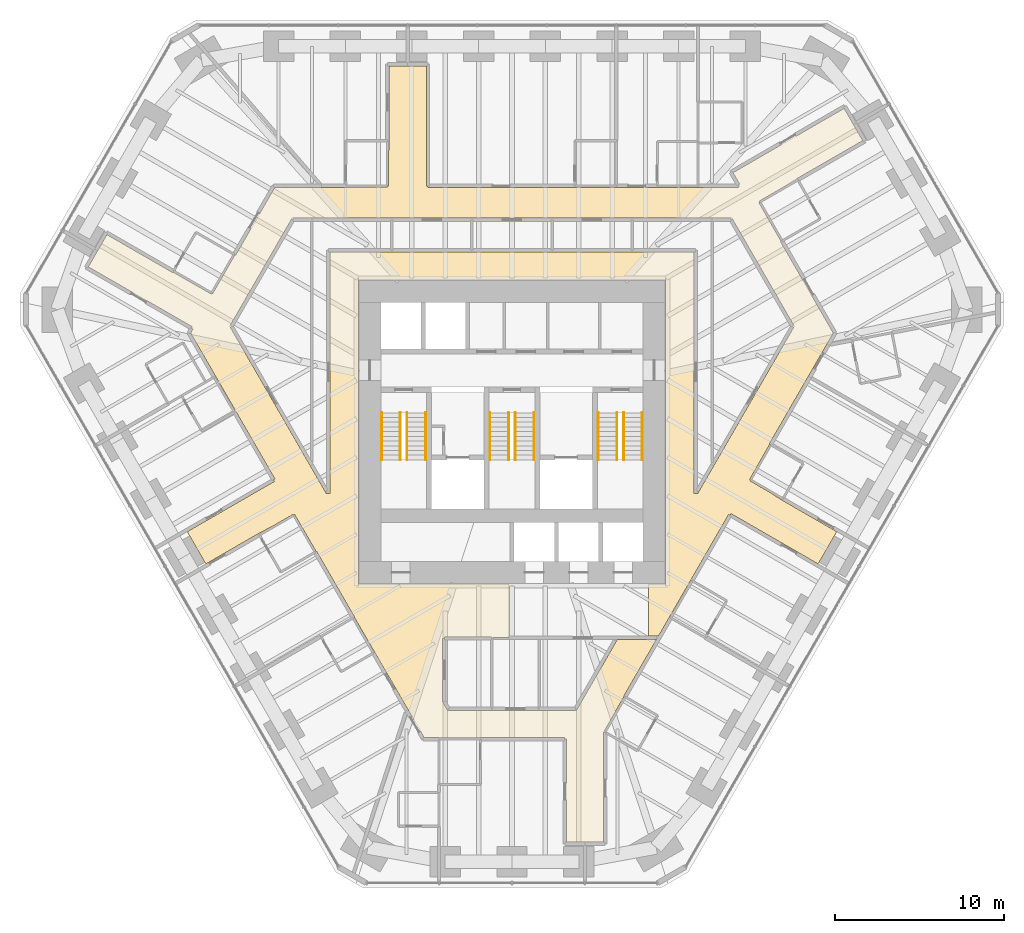
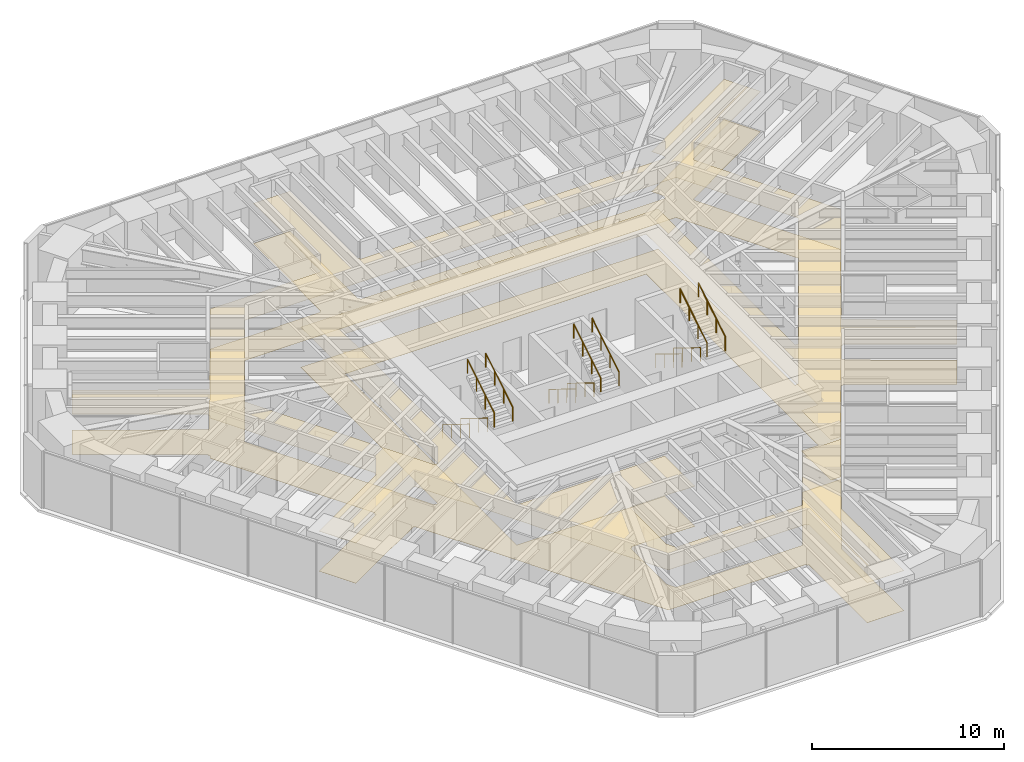
# One storey, part 16 of 16: 12 railings, 2 coverings.
"""IFC4 building model written with IfcOpenShell, lengths in metres."""

from ifc_helpers import new_model, si_unit, direction, frame, origin, origin_2d, place, context, subcontext, project, spatial, polyline, circle, outline, extrude, material, layer, layer_set, type_object, element, save


model = new_model("IFC4")

# Units and contexts
model_context = context("Model", 3, precision=1e-05, world=origin(), true_north=direction((0.0, 1.0)))
body_context = subcontext(model_context, "Body", "Model", "MODEL_VIEW")
ifc_project = project(units=[si_unit("LENGTHUNIT", "METRE"), si_unit("AREAUNIT", "SQUARE_METRE"), si_unit("VOLUMEUNIT", "CUBIC_METRE"), si_unit("PLANEANGLEUNIT", "RADIAN"), si_unit("MASSUNIT", "GRAM", prefix="KILO")], contexts=[model_context])

# Site, building, storey
site_placement = place(None, origin())
site = spatial("IfcSite", under=ifc_project, at=site_placement, CompositionType="ELEMENT")
building_placement = place(site_placement, origin())
building = spatial("IfcBuilding", under=site, at=building_placement, Name="Sandreach Pilgrim Tower", CompositionType="ELEMENT")
storey_placement = place(building_placement, frame((0.0, 0.0, 115.800048828125)))
storey = spatial("IfcBuildingStorey", under=building, at=storey_placement, Name="L28", CompositionType="ELEMENT", Elevation=115.800048828125)

# Coverings
ifc_material_1 = material(Name="Nylon carpet tile on the slab", Category="textile")
ifc_layer_1 = layer(ifc_material_1, 0.008056640625)
ifc_layer_set_1 = layer_set([ifc_layer_1], Name="Carpet tile")
covering_type_1 = type_object("IfcCoveringType", Name="Carpet tile", PredefinedType="FLOORING", material=ifc_layer_set_1)
covering_1_placement = place(storey_placement, origin())
element("IfcCovering", 1, at=covering_1_placement, inside=storey, type_object=covering_type_1, Name="Floor finish 28C Corridor 28", PredefinedType="FLOORING", context=body_context, shape_type="SweptSolid", body=[
    extrude(outline(polyline([(-25.033447265625, 8.206787109375), (-23.933349609375, 10.113525390625), (-20.04150390625, 7.870849609375), (-20.02880859375, 7.892578125), (-17.751708984375, 6.597412109375), (-17.72119140625, 6.649169921875), (-17.68798828125, 6.6298828125), (-16.37353515625, 8.923095703125), (-16.330322265625, 8.898193359375), (-14.022216796875, 12.889892578125), (-9.81005859375, 12.889892578125), (-9.81005859375, 12.915283203125), (-7.360107421875, 12.929931640625), (-7.35791015625, 12.989990234375), (-7.300048828125, 12.989990234375), (-7.300048828125, 14.568115234375), (-7.260009765625, 15.659912109375), (-7.260009765625, 20.080078125), (-5.06005859375, 20.080078125), (-5.06005859375, 13.0), (-4.96044921875, 13.0), (-4.9599609375, 12.889892578125), (13.389892578125, 12.889892578125), (13.439453125, 13.104736328125), (13.056396484375, 13.7734375), (19.62353515625, 17.5732421875), (20.723388671875, 15.666748046875), (16.840087890625, 13.426513671875), (15.937744140625, 12.859130859375), (14.60986328125, 12.092041015625), (14.638671875, 12.0419921875), (14.587890625, 12.01025390625), (15.901611328125, 9.706298828125), (15.873291015625, 9.68994140625), (18.984619140625, 4.2998046875), (15.203369140625, -2.25), (15.230224609375, -2.265380859375), (14.0380859375, -4.35009765625), (14.088623046875, -4.38232421875), (14.06005859375, -4.431884765625), (15.19091796875, -5.085693359375), (15.9599609375, -5.57666015625), (19.18603515625, -7.436279296875), (18.085693359375, -9.342041015625), (12.93994140625, -6.373291015625), (12.882568359375, -6.472900390625), (12.7958984375, -6.423095703125), (8.65576171875, -13.60009765625), (8.050048828125, -13.60009765625), (8.050048828125, -10.52001953125), (9.070068359375, -10.52001953125), (9.070068359375, 7.419921875), (-9.070068359375, 7.419921875), (-9.070068359375, -10.52001953125), (-0.175048828125, -10.52001953125), (-0.175048828125, -13.68994140625), (-1.199951171875, -13.67919921875), (-1.199951171875, -13.64990234375), (-3.989990234375, -13.64990234375), (-3.989990234375, -13.75), (-4.10009765625, -13.75), (-4.10009765625, -17.487060546875), (-3.8076171875, -17.989990234375), (3.8076171875, -17.989990234375), (6.2265625, -13.800048828125), (8.540283203125, -13.800048828125), (6.603515625, -17.14990234375), (6.62353515625, -17.16162109375), (5.409912109375, -19.2900390625), (5.409912109375, -25.780029296875), (3.2099609375, -25.780029296875), (3.2099609375, -19.68994140625), (3.10009765625, -19.68994140625), (3.10009765625, -19.590087890625), (-5.1923828125, -19.590087890625), (-9.318115234375, -12.488525390625), (-9.303466796875, -12.47998046875), (-11.54345703125, -8.60009765625), (-11.56884765625, -8.61474609375), (-12.837890625, -6.43017578125), (-12.891357421875, -6.4580078125), (-12.919921875, -6.407958984375), (-14.11767578125, -7.09814453125), (-14.969970703125, -7.54345703125), (-18.0859375, -9.341796875), (-19.1865234375, -7.435791015625), (-14.0400390625, -4.466552734375), (-14.097412109375, -4.366943359375), (-14.010986328125, -4.31689453125), (-18.98486328125, 4.300048828125), (-18.858154296875, 4.521728515625), (-18.945068359375, 4.5712890625), (-18.89013671875, 4.666748046875), (-25.033447265625, 8.206787109375)]), holes=[polyline([(-16.675537109375, 4.699951171875), (-10.965576171875, -5.18994140625), (-10.85009765625, -5.19482421875), (-10.75, -5.18994140625), (-10.75, 9.10009765625), (10.75, 9.10009765625), (10.75, -5.18994140625), (10.965576171875, -5.18994140625), (16.675537109375, 4.699951171875), (12.98779296875, 11.090087890625), (-12.98779296875, 11.090087890625), (-16.675537109375, 4.699951171875)])]), origin(), (0.0, 0.0, 1.0), 0.008056640625),
])
ifc_material_2 = material(Name="Gypsum board suspended ceiling on a steel grid", Category="steel")
ifc_layer_2 = layer(ifc_material_2, 0.012939453125)
ifc_layer_set_2 = layer_set([ifc_layer_2], Name="Gypsum board suspended ceiling")
covering_type_2 = type_object("IfcCoveringType", Name="Gypsum board suspended ceiling", PredefinedType="CEILING", material=ifc_layer_set_2)
covering_2_placement = place(storey_placement, frame((0.0, 0.0, 2.550048828125)))
element("IfcCovering", 2, at=covering_2_placement, inside=storey, type_object=covering_type_2, Name="Ceiling 28C Corridor 28", PredefinedType="CEILING", context=body_context, shape_type="SweptSolid", body=[
    extrude(outline(polyline([(-25.033447265625, 8.206787109375), (-23.933349609375, 10.113525390625), (-20.04150390625, 7.870849609375), (-20.02880859375, 7.892578125), (-17.751708984375, 6.597412109375), (-17.72119140625, 6.649169921875), (-17.68798828125, 6.6298828125), (-16.37353515625, 8.923095703125), (-16.330322265625, 8.898193359375), (-14.022216796875, 12.889892578125), (-9.81005859375, 12.889892578125), (-9.81005859375, 12.915283203125), (-7.360107421875, 12.929931640625), (-7.35791015625, 12.989990234375), (-7.300048828125, 12.989990234375), (-7.300048828125, 14.568115234375), (-7.260009765625, 15.659912109375), (-7.260009765625, 20.080078125), (-5.06005859375, 20.080078125), (-5.06005859375, 13.0), (-4.96044921875, 13.0), (-4.9599609375, 12.889892578125), (13.389892578125, 12.889892578125), (13.439453125, 13.104736328125), (13.056396484375, 13.7734375), (19.62353515625, 17.5732421875), (20.723388671875, 15.666748046875), (16.840087890625, 13.426513671875), (15.937744140625, 12.859130859375), (14.60986328125, 12.092041015625), (14.638671875, 12.0419921875), (14.587890625, 12.01025390625), (15.901611328125, 9.706298828125), (15.873291015625, 9.68994140625), (18.984619140625, 4.2998046875), (15.203369140625, -2.25), (15.230224609375, -2.265380859375), (14.0380859375, -4.35009765625), (14.088623046875, -4.38232421875), (14.06005859375, -4.431884765625), (15.19091796875, -5.085693359375), (15.9599609375, -5.57666015625), (19.18603515625, -7.436279296875), (18.085693359375, -9.342041015625), (12.93994140625, -6.373291015625), (12.882568359375, -6.472900390625), (12.7958984375, -6.423095703125), (8.65576171875, -13.60009765625), (8.050048828125, -13.60009765625), (8.050048828125, -10.52001953125), (9.070068359375, -10.52001953125), (9.070068359375, 7.419921875), (-9.070068359375, 7.419921875), (-9.070068359375, -10.52001953125), (-0.175048828125, -10.52001953125), (-0.175048828125, -13.68994140625), (-1.199951171875, -13.67919921875), (-1.199951171875, -13.64990234375), (-3.989990234375, -13.64990234375), (-3.989990234375, -13.75), (-4.10009765625, -13.75), (-4.10009765625, -17.487060546875), (-3.8076171875, -17.989990234375), (3.8076171875, -17.989990234375), (6.2265625, -13.800048828125), (8.540283203125, -13.800048828125), (6.603515625, -17.14990234375), (6.62353515625, -17.16162109375), (5.409912109375, -19.2900390625), (5.409912109375, -25.780029296875), (3.2099609375, -25.780029296875), (3.2099609375, -19.68994140625), (3.10009765625, -19.68994140625), (3.10009765625, -19.590087890625), (-5.1923828125, -19.590087890625), (-9.318115234375, -12.488525390625), (-9.303466796875, -12.47998046875), (-11.54345703125, -8.60009765625), (-11.56884765625, -8.61474609375), (-12.837890625, -6.43017578125), (-12.891357421875, -6.4580078125), (-12.919921875, -6.407958984375), (-14.11767578125, -7.09814453125), (-14.969970703125, -7.54345703125), (-18.0859375, -9.341796875), (-19.1865234375, -7.435791015625), (-14.0400390625, -4.466552734375), (-14.097412109375, -4.366943359375), (-14.010986328125, -4.31689453125), (-18.98486328125, 4.300048828125), (-18.858154296875, 4.521728515625), (-18.945068359375, 4.5712890625), (-18.89013671875, 4.666748046875), (-25.033447265625, 8.206787109375)]), holes=[polyline([(-16.675537109375, 4.699951171875), (-10.965576171875, -5.18994140625), (-10.85009765625, -5.19482421875), (-10.75, -5.18994140625), (-10.75, 9.10009765625), (10.75, 9.10009765625), (10.75, -5.18994140625), (10.965576171875, -5.18994140625), (16.675537109375, 4.699951171875), (12.98779296875, 11.090087890625), (-12.98779296875, 11.090087890625), (-16.675537109375, 4.699951171875)])]), origin(), (0.0, 0.0, 1.0), 0.012939453125),
])

# Railings
ifc_material_3 = material(Name="Stainless steel tube", Category="steel")
railing_type = type_object("IfcRailingType", Name="Stair handrail", PredefinedType="HANDRAIL", material=ifc_material_3)
for number, where, name in (
    (3, (-6.60009765625, -0.39990234375, 0.172607421875), "Handrail ST1 L28 flight 1"),
    (4, (-7.699951171875, -0.39990234375, 0.172607421875), "Handrail ST1 L28 flight 1"),
):
    element("IfcRailing", number, at=place(storey_placement, frame(where)), inside=storey, type_object=railing_type, Name=name, PredefinedType="HANDRAIL", context=body_context, shape_type="SweptSolid", body=[
        extrude(circle(Radius=0.02392578125, at=origin_2d()), frame((0.0, 0.0, 0.8759765625), z_axis=(0.0, -0.851089632645, 0.525020415988), x_axis=(1.0, 0.0, 0.0)), (0.0, 0.0, 1.0), 3.2900390625),
        extrude(circle(Radius=0.02099609375, at=origin_2d()), origin(), (0.0, 0.0, 1.0), 0.851806640625),
        extrude(circle(Radius=0.02099609375, at=origin_2d()), frame((0.0, -0.933349609375, 0.57568359375)), (0.0, 0.0, 1.0), 0.851806640625),
        extrude(circle(Radius=0.02099609375, at=origin_2d()), frame((0.0, -1.86669921875, 1.151611328125)), (0.0, 0.0, 1.0), 0.851806640625),
        extrude(circle(Radius=0.02099609375, at=origin_2d()), frame((0.0, -2.800048828125, 1.727294921875)), (0.0, 0.0, 1.0), 0.851806640625),
    ])
for number, where, name in (
    (5, (-6.199951171875, -3.199951171875, 2.07275390625), "Handrail ST1 L28 flight 2"),
    (6, (-5.10009765625, -3.199951171875, 2.07275390625), "Handrail ST1 L28 flight 2"),
):
    element("IfcRailing", number, at=place(storey_placement, frame(where)), inside=storey, type_object=railing_type, Name=name, PredefinedType="HANDRAIL", context=body_context, shape_type="SweptSolid", body=[
        extrude(circle(Radius=0.02392578125, at=origin_2d()), frame((0.0, 0.0, 0.8759765625), z_axis=(0.0, 0.851089632645, 0.525020415988), x_axis=(-1.0, 0.0, 0.0)), (0.0, 0.0, 1.0), 3.2900390625),
        extrude(circle(Radius=0.02099609375, at=origin_2d()), origin(), (0.0, 0.0, 1.0), 0.851806640625),
        extrude(circle(Radius=0.02099609375, at=origin_2d()), frame((0.0, 0.933349609375, 0.57568359375)), (0.0, 0.0, 1.0), 0.851806640625),
        extrude(circle(Radius=0.02099609375, at=origin_2d()), frame((0.0, 1.86669921875, 1.151611328125)), (0.0, 0.0, 1.0), 0.851806640625),
        extrude(circle(Radius=0.02099609375, at=origin_2d()), frame((0.0, 2.800048828125, 1.727294921875)), (0.0, 0.0, 1.0), 0.851806640625),
    ])
for number, where, name in (
    (7, (-0.199951171875, -0.39990234375, 0.172607421875), "Handrail ST3 L28 flight 1"),
    (8, (-1.300048828125, -0.39990234375, 0.172607421875), "Handrail ST3 L28 flight 1"),
):
    element("IfcRailing", number, at=place(storey_placement, frame(where)), inside=storey, type_object=railing_type, Name=name, PredefinedType="HANDRAIL", context=body_context, shape_type="SweptSolid", body=[
        extrude(circle(Radius=0.02392578125, at=origin_2d()), frame((0.0, 0.0, 0.8759765625), z_axis=(0.0, -0.851089632645, 0.525020415988), x_axis=(1.0, 0.0, 0.0)), (0.0, 0.0, 1.0), 3.2900390625),
        extrude(circle(Radius=0.02099609375, at=origin_2d()), origin(), (0.0, 0.0, 1.0), 0.851806640625),
        extrude(circle(Radius=0.02099609375, at=origin_2d()), frame((0.0, -0.933349609375, 0.57568359375)), (0.0, 0.0, 1.0), 0.851806640625),
        extrude(circle(Radius=0.02099609375, at=origin_2d()), frame((0.0, -1.86669921875, 1.151611328125)), (0.0, 0.0, 1.0), 0.851806640625),
        extrude(circle(Radius=0.02099609375, at=origin_2d()), frame((0.0, -2.800048828125, 1.727294921875)), (0.0, 0.0, 1.0), 0.851806640625),
    ])
for number, where, name in (
    (9, (0.199951171875, -3.199951171875, 2.07275390625), "Handrail ST3 L28 flight 2"),
    (10, (1.300048828125, -3.199951171875, 2.07275390625), "Handrail ST3 L28 flight 2"),
):
    element("IfcRailing", number, at=place(storey_placement, frame(where)), inside=storey, type_object=railing_type, Name=name, PredefinedType="HANDRAIL", context=body_context, shape_type="SweptSolid", body=[
        extrude(circle(Radius=0.02392578125, at=origin_2d()), frame((0.0, 0.0, 0.8759765625), z_axis=(0.0, 0.851089632645, 0.525020415988), x_axis=(-1.0, 0.0, 0.0)), (0.0, 0.0, 1.0), 3.2900390625),
        extrude(circle(Radius=0.02099609375, at=origin_2d()), origin(), (0.0, 0.0, 1.0), 0.851806640625),
        extrude(circle(Radius=0.02099609375, at=origin_2d()), frame((0.0, 0.933349609375, 0.57568359375)), (0.0, 0.0, 1.0), 0.851806640625),
        extrude(circle(Radius=0.02099609375, at=origin_2d()), frame((0.0, 1.86669921875, 1.151611328125)), (0.0, 0.0, 1.0), 0.851806640625),
        extrude(circle(Radius=0.02099609375, at=origin_2d()), frame((0.0, 2.800048828125, 1.727294921875)), (0.0, 0.0, 1.0), 0.851806640625),
    ])
for number, where, name in (
    (11, (6.199951171875, -0.39990234375, 0.172607421875), "Handrail ST2 L28 flight 1"),
    (12, (5.10009765625, -0.39990234375, 0.172607421875), "Handrail ST2 L28 flight 1"),
):
    element("IfcRailing", number, at=place(storey_placement, frame(where)), inside=storey, type_object=railing_type, Name=name, PredefinedType="HANDRAIL", context=body_context, shape_type="SweptSolid", body=[
        extrude(circle(Radius=0.02392578125, at=origin_2d()), frame((0.0, 0.0, 0.8759765625), z_axis=(0.0, -0.851089632645, 0.525020415988), x_axis=(1.0, 0.0, 0.0)), (0.0, 0.0, 1.0), 3.2900390625),
        extrude(circle(Radius=0.02099609375, at=origin_2d()), origin(), (0.0, 0.0, 1.0), 0.851806640625),
        extrude(circle(Radius=0.02099609375, at=origin_2d()), frame((0.0, -0.933349609375, 0.57568359375)), (0.0, 0.0, 1.0), 0.851806640625),
        extrude(circle(Radius=0.02099609375, at=origin_2d()), frame((0.0, -1.86669921875, 1.151611328125)), (0.0, 0.0, 1.0), 0.851806640625),
        extrude(circle(Radius=0.02099609375, at=origin_2d()), frame((0.0, -2.800048828125, 1.727294921875)), (0.0, 0.0, 1.0), 0.851806640625),
    ])
for number, where, name in (
    (13, (6.60009765625, -3.199951171875, 2.07275390625), "Handrail ST2 L28 flight 2"),
    (14, (7.699951171875, -3.199951171875, 2.07275390625), "Handrail ST2 L28 flight 2"),
):
    element("IfcRailing", number, at=place(storey_placement, frame(where)), inside=storey, type_object=railing_type, Name=name, PredefinedType="HANDRAIL", context=body_context, shape_type="SweptSolid", body=[
        extrude(circle(Radius=0.02392578125, at=origin_2d()), frame((0.0, 0.0, 0.8759765625), z_axis=(0.0, 0.851089632645, 0.525020415988), x_axis=(-1.0, 0.0, 0.0)), (0.0, 0.0, 1.0), 3.2900390625),
        extrude(circle(Radius=0.02099609375, at=origin_2d()), origin(), (0.0, 0.0, 1.0), 0.851806640625),
        extrude(circle(Radius=0.02099609375, at=origin_2d()), frame((0.0, 0.933349609375, 0.57568359375)), (0.0, 0.0, 1.0), 0.851806640625),
        extrude(circle(Radius=0.02099609375, at=origin_2d()), frame((0.0, 1.86669921875, 1.151611328125)), (0.0, 0.0, 1.0), 0.851806640625),
        extrude(circle(Radius=0.02099609375, at=origin_2d()), frame((0.0, 2.800048828125, 1.727294921875)), (0.0, 0.0, 1.0), 0.851806640625),
    ])

save(model, "model.ifc")
